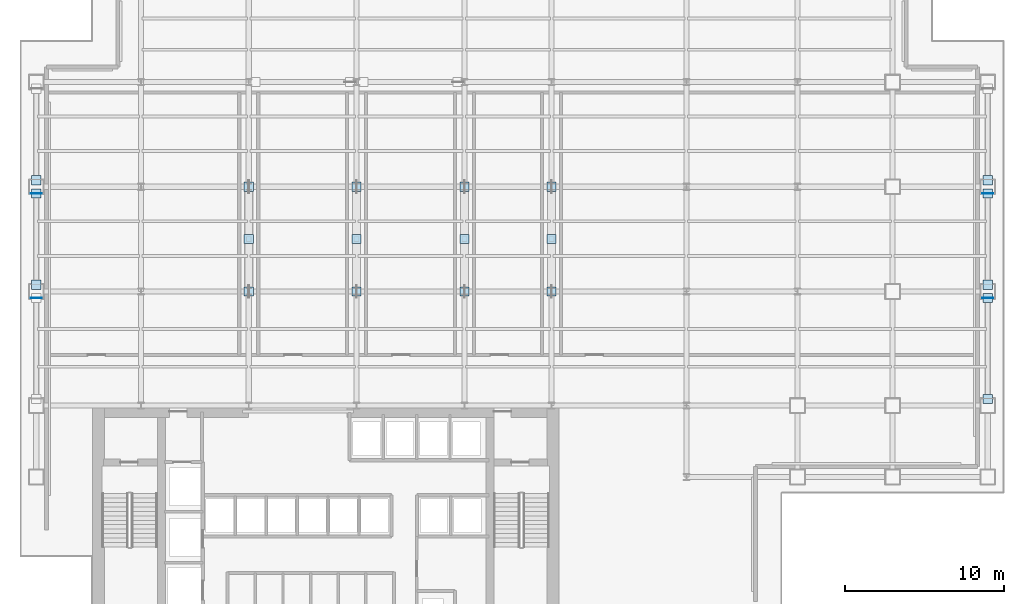
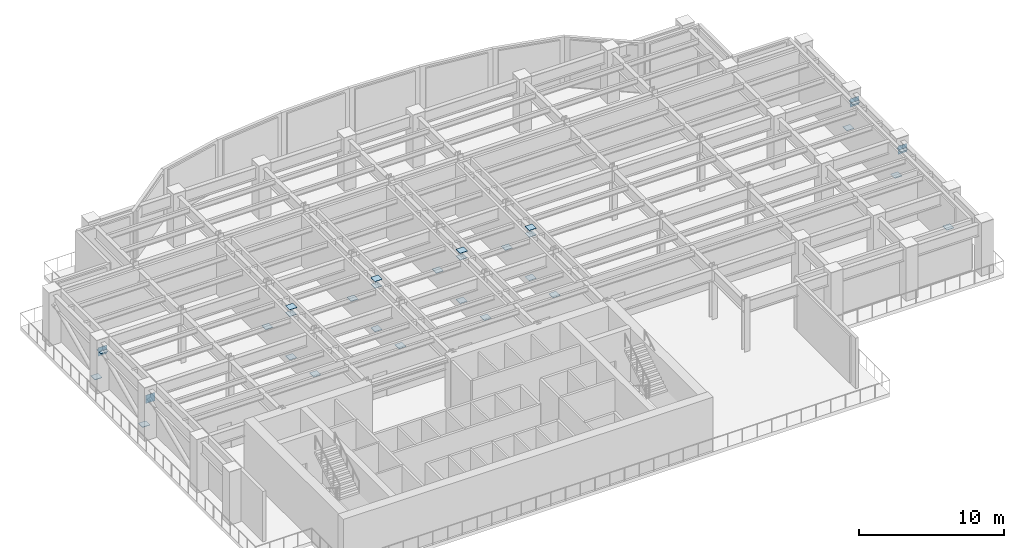
# One storey, part 8 of 14: 32 plates.
"""IFC4 building model written with IfcOpenShell, lengths in metres."""

from ifc_helpers import new_model, si_unit, derived_unit, direction, frame, origin, origin_2d, place, context, subcontext, project, spatial, rectangle, extrude, source, transform, mapped, material, layer, layer_set, type_object, element, save


model = new_model("IFC4")

# Units and contexts
model_context = context("Model", 3, precision=1e-05, world=origin(), true_north=direction((0.0, 1.0)))
body_context = subcontext(model_context, "Body", "Model", "MODEL_VIEW")
ifc_project = project(units=[si_unit("LENGTHUNIT", "METRE"), si_unit("AREAUNIT", "SQUARE_METRE"), si_unit("VOLUMEUNIT", "CUBIC_METRE"), si_unit("PLANEANGLEUNIT", "RADIAN"), si_unit("MASSUNIT", "GRAM", prefix="KILO"), derived_unit("THERMALTRANSMITTANCEUNIT", [(si_unit("POWERUNIT", "WATT"), 1), (si_unit("LENGTHUNIT", "METRE"), -2), (si_unit("THERMODYNAMICTEMPERATUREUNIT", "KELVIN"), -1)])], contexts=[model_context])

# Site, building, storey
site_placement = place(None, origin())
site = spatial("IfcSite", under=ifc_project, at=site_placement, CompositionType="ELEMENT")
building_placement = place(site_placement, origin())
building = spatial("IfcBuilding", under=site, at=building_placement, Name="Skarnbrae Concourse Arena and Tower", CompositionType="ELEMENT")
storey_placement = place(building_placement, frame((0.0, 0.0, 84.14990234375)))
storey = spatial("IfcBuildingStorey", under=building, at=storey_placement, Name="L20", CompositionType="ELEMENT", Elevation=84.14990234375)

# Plates
ifc_material = material(Name="Steel CSA G40.21 350W", Category="steel")
ifc_layer_1 = layer(ifc_material, 0.031982421875)
ifc_layer_set_1 = layer_set([ifc_layer_1], Name="Steel CSA G40.21 350W")
plate_type_1 = type_object("IfcPlateType", Name="PLT-CAP-HOLLOW", PredefinedType="USERDEFINED", material=ifc_layer_set_1)
shared_shape_1 = source(origin(), body_context, "Body", "SweptSolid", [
    extrude(rectangle(XDim=0.580078125, YDim=0.580078125, at=origin_2d()), origin(), (0.0, 0.0, 1.0), 0.031982421875),
])
for number, where, z_axis, x_axis, name in (
    (1, (14.39990234375, 21.199951171875, 0.5341796875), (0.0, 0.0, 1.0), (1.0, 0.0, 0.0), "L20 Outrigger cap plate O1.1A"),
    (2, (14.39990234375, 24.5, 3.63427734375), (0.0, 0.0, 1.0), (1.0, 0.0, 0.0), "L20 Outrigger cap plate O1.1B"),
    (3, (14.39990234375, 27.800048828125, 0.5341796875), (0.0, 0.0, 1.0), (1.0, 0.0, 0.0), "L20 Outrigger cap plate O1.2B"),
    (4, (21.199951171875, 21.199951171875, 0.5341796875), (0.0, 0.0, 1.0), (1.0, 0.0, 0.0), "L20 Outrigger cap plate O2.1A"),
    (5, (21.199951171875, 24.5, 3.63427734375), (0.0, 0.0, 1.0), (1.0, 0.0, 0.0), "L20 Outrigger cap plate O2.1B"),
    (6, (21.199951171875, 27.800048828125, 0.5341796875), (0.0, 0.0, 1.0), (1.0, 0.0, 0.0), "L20 Outrigger cap plate O2.2B"),
    (7, (28.0, 21.199951171875, 0.5341796875), (0.0, 0.0, 1.0), (1.0, 0.0, 0.0), "L20 Outrigger cap plate O3.1A"),
    (8, (28.0, 24.5, 3.63427734375), (0.0, 0.0, 1.0), (1.0, 0.0, 0.0), "L20 Outrigger cap plate O3.1B"),
    (9, (28.0, 27.800048828125, 0.5341796875), (0.0, 0.0, 1.0), (1.0, 0.0, 0.0), "L20 Outrigger cap plate O3.2B"),
    (10, (33.5, 21.199951171875, 0.5341796875), (0.0, 0.0, 1.0), (1.0, 0.0, 0.0), "L20 Outrigger cap plate O4.1A"),
    (11, (33.5, 24.5, 3.63427734375), (0.0, 0.0, 1.0), (1.0, 0.0, 0.0), "L20 Outrigger cap plate O4.1B"),
    (12, (33.5, 27.800048828125, 0.5341796875), (0.0, 0.0, 1.0), (1.0, 0.0, 0.0), "L20 Outrigger cap plate O4.2B"),
    (13, (1.0, 21.616455078125, 0.7294921875), (0.0, 0.0, 1.0), (1.0, 0.0, 0.0), "L20 Belt truss cap plate B02A"),
    (14, (1.0, 27.383544921875, 3.4384765625), (0.0, 0.0, 1.0), (1.0, 0.0, 0.0), "L20 Belt truss cap plate B02B"),
    (15, (1.0, 28.21630859375, 0.7294921875), (0.0, 0.0, 1.0), (1.0, 0.0, 0.0), "L20 Belt truss cap plate B03A"),
    (16, (61.0, 14.422607421875, 0.7158203125), (0.0, 0.0, 1.0), (1.0, 0.0, 0.0), "L20 Belt truss cap plate B04A"),
    (17, (61.0, 20.777587890625, 3.4521484375), (0.0, 0.0, 1.0), (1.0, 0.0, 0.0), "L20 Belt truss cap plate B04B"),
    (18, (61.0, 21.616455078125, 0.7294921875), (0.0, 0.0, 1.0), (1.0, 0.0, 0.0), "L20 Belt truss cap plate B05A"),
    (19, (61.0, 27.383544921875, 3.4384765625), (0.0, 0.0, 1.0), (1.0, 0.0, 0.0), "L20 Belt truss cap plate B05B"),
    (20, (61.0, 28.21630859375, 0.7294921875), (0.0, 0.0, 1.0), (1.0, 0.0, 0.0), "L20 Belt truss cap plate B06A"),
    (21, (14.39990234375, 24.5, -0.03076171875), (0.0, 0.0, 1.0), (1.0, 0.0, 0.0), "L20 Outrigger post bottom cap plate 01"),
    (22, (14.39990234375, 24.5, 4.19921875), (0.0, 0.0, 1.0), (1.0, 0.0, 0.0), "L20 Outrigger post top cap plate 01"),
    (23, (21.199951171875, 24.5, -0.03076171875), (0.0, 0.0, 1.0), (1.0, 0.0, 0.0), "L20 Outrigger post bottom cap plate 02"),
    (24, (21.199951171875, 24.5, 4.19921875), (0.0, 0.0, 1.0), (1.0, 0.0, 0.0), "L20 Outrigger post top cap plate 02"),
    (25, (28.0, 24.5, -0.03076171875), (0.0, 0.0, 1.0), (1.0, 0.0, 0.0), "L20 Outrigger post bottom cap plate 03"),
    (26, (28.0, 24.5, 4.19921875), (0.0, 0.0, 1.0), (1.0, 0.0, 0.0), "L20 Outrigger post top cap plate 03"),
    (27, (33.5, 24.5, -0.03076171875), (0.0, 0.0, 1.0), (1.0, 0.0, 0.0), "L20 Outrigger post bottom cap plate 04"),
    (28, (33.5, 24.5, 4.19921875), (0.0, 0.0, 1.0), (1.0, 0.0, 0.0), "L20 Outrigger post top cap plate 04"),
):
    element("IfcPlate", number, at=place(storey_placement, frame(where, z_axis=z_axis, x_axis=x_axis)), inside=storey, type_object=plate_type_1, Name=name, ObjectType="CAP PLATE", PredefinedType="USERDEFINED", context=body_context, shape_type="MappedRepresentation", body=[
        mapped(shared_shape_1, transform((0.0, 0.0, 0.0))),
    ])
ifc_layer_2 = layer(ifc_material, 0.034912109375)
ifc_layer_set_2 = layer_set([ifc_layer_2], Name="Steel CSA G40.21 350W")
plate_type_2 = type_object("IfcPlateType", Name="PLT-NODE-BELT", PredefinedType="USERDEFINED", material=ifc_layer_set_2)
shared_shape_2 = source(origin(), body_context, "Body", "SweptSolid", [
    extrude(rectangle(XDim=0.699951171875, YDim=0.034912109375, at=origin_2d()), origin(), (0.0, 0.0, 1.0), 0.699951171875),
])
for number, where, z_axis, x_axis, name in (
    (29, (1.0, 20.777587890625, 3.1181640625), (0.0, 0.0, 1.0), (1.0, 0.0, 0.0), "L20 Belt truss node gusset plate ND-BT-01 #01"),
    (30, (1.0, 27.383544921875, 3.1044921875), (0.0, 0.0, 1.0), (1.0, 0.0, 0.0), "L20 Belt truss node gusset plate ND-BT-01 #02"),
    (31, (61.0, 20.777587890625, 3.1181640625), (0.0, 0.0, 1.0), (1.0, 0.0, 0.0), "L20 Belt truss node gusset plate ND-BT-01 #04"),
    (32, (61.0, 27.383544921875, 3.1044921875), (0.0, 0.0, 1.0), (1.0, 0.0, 0.0), "L20 Belt truss node gusset plate ND-BT-01 #05"),
):
    element("IfcPlate", number, at=place(storey_placement, frame(where, z_axis=z_axis, x_axis=x_axis)), inside=storey, type_object=plate_type_2, Name=name, ObjectType="GUSSET PLATE", PredefinedType="USERDEFINED", context=body_context, shape_type="MappedRepresentation", body=[
        mapped(shared_shape_2, transform((0.0, 0.0, 0.0))),
    ])

save(model, "model.ifc")
